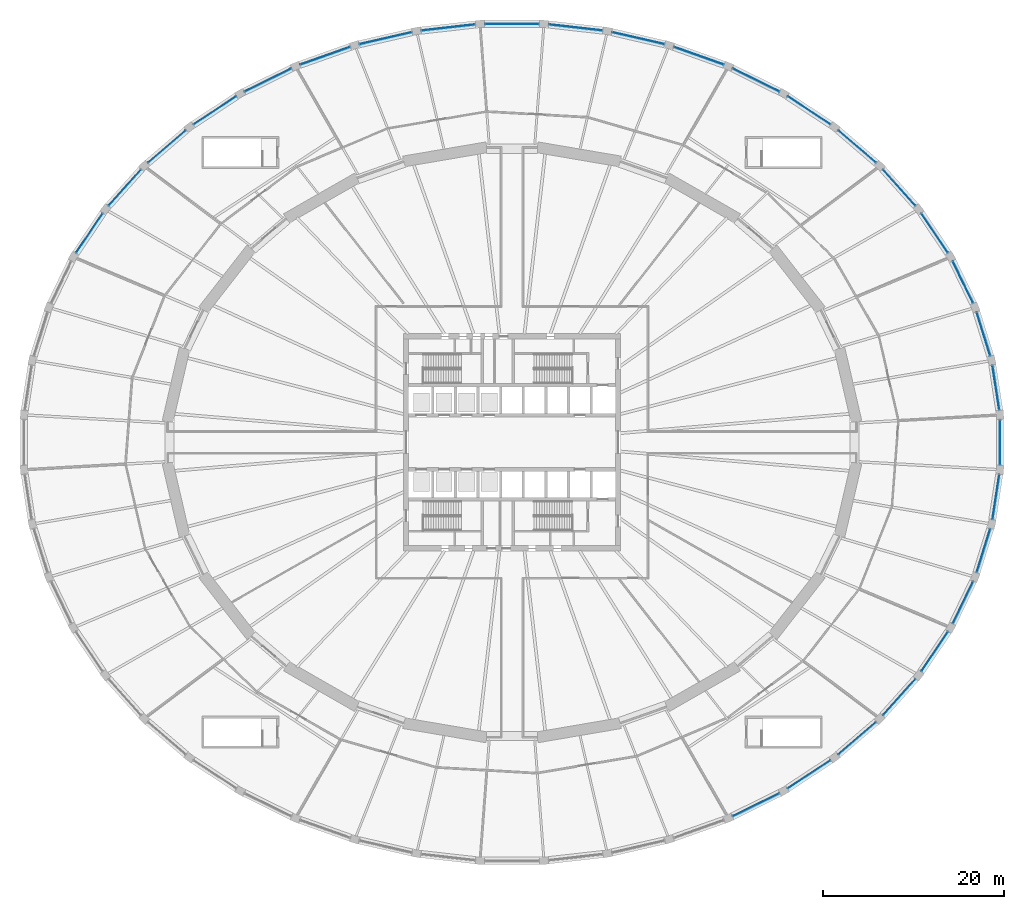
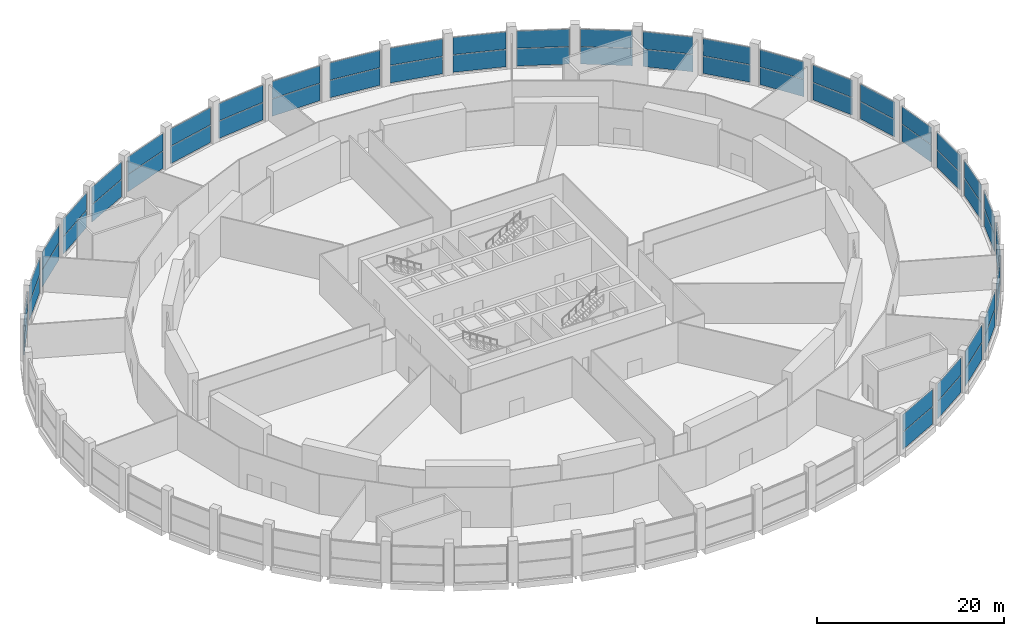
# One storey, part 18 of 26: 58 plates, 29 elements without a shape of their own.
"""IFC4 building model written with IfcOpenShell, lengths in metres."""

from ifc_helpers import new_model, si_unit, direction, frame, origin, origin_2d, place, context, subcontext, project, spatial, rectangle, extrude, material, layer, layer_set, type_object, element, aggregate, save


model = new_model("IFC4")

# Units and contexts
model_context = context("Model", 3, precision=1e-05, world=origin(), true_north=direction((0.0, 1.0)))
body_context = subcontext(model_context, "Body", "Model", "MODEL_VIEW")
ifc_project = project(units=[si_unit("LENGTHUNIT", "METRE"), si_unit("AREAUNIT", "SQUARE_METRE"), si_unit("VOLUMEUNIT", "CUBIC_METRE"), si_unit("PLANEANGLEUNIT", "RADIAN"), si_unit("MASSUNIT", "GRAM", prefix="KILO")], contexts=[model_context])

# Site, building, storey
site_placement = place(None, origin())
site = spatial("IfcSite", under=ifc_project, at=site_placement, CompositionType="ELEMENT")
building_placement = place(site_placement, origin())
building = spatial("IfcBuilding", under=site, at=building_placement, Name="Halqa Exchange Tower", CompositionType="ELEMENT")
storey_placement = place(building_placement, frame((0.0, 0.0, 18.0)))
storey = spatial("IfcBuildingStorey", under=building, at=storey_placement, Name="L03", CompositionType="ELEMENT", Elevation=18.0)

# Curtain wall, plates
ifc_material_1 = material(Name="Anodised aluminium and clear glass", Category="aluminium")
curtain_wall_type = type_object("IfcCurtainWallType", Name="Exchange hall glazing", PredefinedType="NOTDEFINED", material=ifc_material_1)
curtain_wall_1_placement = place(storey_placement, origin())
curtain_wall_1 = element("IfcCurtainWall", 1, at=curtain_wall_1_placement, inside=storey, type_object=curtain_wall_type, Name="Exchange hall glazing run P1", PredefinedType="NOTDEFINED")
ifc_material_2 = material(Name="Clear glass", Category="glass")
ifc_layer = layer(ifc_material_2, 0.035888671875)
ifc_layer_set = layer_set([ifc_layer], Name="Clear glass")
plate_type = type_object("IfcPlateType", Name="Laminated clear glass panel 36", PredefinedType="CURTAIN_PANEL", material=ifc_layer_set)
plate_1_placement = place(storey_placement, frame((53.42333984375, 6.030517578125, 0.06982421875), z_axis=(0.0, 0.0, 1.0), x_axis=(-0.151766957898, 0.988416304241, 0.0)))
plate_1 = element("IfcPlate", 2, at=plate_1_placement, type_object=plate_type, Name="P1 panel 1.1", PredefinedType="CURTAIN_PANEL", context=body_context, shape_type="SweptSolid", body=[
    extrude(rectangle(XDim=4.934814453125, YDim=0.035888671875, at=origin_2d()), origin(), (0.0, 0.0, 1.0), 2.2451171875),
])
plate_2_placement = place(storey_placement, frame((53.42333984375, 6.030517578125, 2.385009765625), z_axis=(0.0, 0.0, 1.0), x_axis=(-0.151766957898, 0.988416304241, 0.0)))
plate_2 = element("IfcPlate", 3, at=plate_2_placement, type_object=plate_type, Name="P1 panel 1.2", PredefinedType="CURTAIN_PANEL", context=body_context, shape_type="SweptSolid", body=[
    extrude(rectangle(XDim=4.934814453125, YDim=0.035888671875, at=origin_2d()), origin(), (0.0, 0.0, 1.0), 2.2451171875),
])
aggregate(curtain_wall_1, [plate_1, plate_2])

curtain_wall_2_placement = place(storey_placement, origin())
curtain_wall_2 = element("IfcCurtainWall", 4, at=curtain_wall_2_placement, inside=storey, type_object=curtain_wall_type, Name="Exchange hall glazing run P2", PredefinedType="NOTDEFINED")
plate_3_placement = place(storey_placement, frame((52.04833984375, 11.957763671875, 0.06982421875), z_axis=(0.0, 0.0, 1.0), x_axis=(-0.298302746613, 0.95447130463, 0.0)))
plate_3 = element("IfcPlate", 5, at=plate_3_placement, type_object=plate_type, Name="P2 panel 1.1", PredefinedType="CURTAIN_PANEL", context=body_context, shape_type="SweptSolid", body=[
    extrude(rectangle(XDim=4.989013671875, YDim=0.035888671875, at=origin_2d()), origin(), (0.0, 0.0, 1.0), 2.2451171875),
])
plate_4_placement = place(storey_placement, frame((52.04833984375, 11.957763671875, 2.385009765625), z_axis=(0.0, 0.0, 1.0), x_axis=(-0.298302746613, 0.95447130463, 0.0)))
plate_4 = element("IfcPlate", 6, at=plate_4_placement, type_object=plate_type, Name="P2 panel 1.2", PredefinedType="CURTAIN_PANEL", context=body_context, shape_type="SweptSolid", body=[
    extrude(rectangle(XDim=4.989013671875, YDim=0.035888671875, at=origin_2d()), origin(), (0.0, 0.0, 1.0), 2.2451171875),
])
aggregate(curtain_wall_2, [plate_3, plate_4])

curtain_wall_3_placement = place(storey_placement, origin())
curtain_wall_3 = element("IfcCurtainWall", 7, at=curtain_wall_3_placement, inside=storey, type_object=curtain_wall_type, Name="Exchange hall glazing run P3", PredefinedType="NOTDEFINED")
plate_5_placement = place(storey_placement, frame((49.78271484375, 17.680419921875, 0.06982421875), z_axis=(0.0, 0.0, 1.0), x_axis=(-0.434989864727, 0.90043534892, 0.0)))
plate_5 = element("IfcPlate", 8, at=plate_5_placement, type_object=plate_type, Name="P3 panel 1.1", PredefinedType="CURTAIN_PANEL", context=body_context, shape_type="SweptSolid", body=[
    extrude(rectangle(XDim=5.07421875, YDim=0.035888671875, at=origin_2d()), origin(), (0.0, 0.0, 1.0), 2.2451171875),
])
plate_6_placement = place(storey_placement, frame((49.78271484375, 17.680419921875, 2.385009765625), z_axis=(0.0, 0.0, 1.0), x_axis=(-0.434989864727, 0.90043534892, 0.0)))
plate_6 = element("IfcPlate", 9, at=plate_6_placement, type_object=plate_type, Name="P3 panel 1.2", PredefinedType="CURTAIN_PANEL", context=body_context, shape_type="SweptSolid", body=[
    extrude(rectangle(XDim=5.07421875, YDim=0.035888671875, at=origin_2d()), origin(), (0.0, 0.0, 1.0), 2.2451171875),
])
aggregate(curtain_wall_3, [plate_5, plate_6])

curtain_wall_4_placement = place(storey_placement, origin())
curtain_wall_4 = element("IfcCurtainWall", 10, at=curtain_wall_4_placement, inside=storey, type_object=curtain_wall_type, Name="Exchange hall glazing run P4", PredefinedType="NOTDEFINED")
plate_7_placement = place(storey_placement, frame((46.665283203125, 23.100341796875, 0.06982421875), z_axis=(0.0, 0.0, 1.0), x_axis=(-0.55852230535, 0.8294895023, 0.0)))
plate_7 = element("IfcPlate", 11, at=plate_7_placement, type_object=plate_type, Name="P4 panel 1.1", PredefinedType="CURTAIN_PANEL", context=body_context, shape_type="SweptSolid", body=[
    extrude(rectangle(XDim=5.18310546875, YDim=0.035888671875, at=origin_2d()), origin(), (0.0, 0.0, 1.0), 2.2451171875),
])
plate_8_placement = place(storey_placement, frame((46.665283203125, 23.100341796875, 2.385009765625), z_axis=(0.0, 0.0, 1.0), x_axis=(-0.55852230535, 0.8294895023, 0.0)))
plate_8 = element("IfcPlate", 12, at=plate_8_placement, type_object=plate_type, Name="P4 panel 1.2", PredefinedType="CURTAIN_PANEL", context=body_context, shape_type="SweptSolid", body=[
    extrude(rectangle(XDim=5.18310546875, YDim=0.035888671875, at=origin_2d()), origin(), (0.0, 0.0, 1.0), 2.2451171875),
])
aggregate(curtain_wall_4, [plate_7, plate_8])

curtain_wall_5_placement = place(storey_placement, origin())
curtain_wall_5 = element("IfcCurtainWall", 13, at=curtain_wall_5_placement, inside=storey, type_object=curtain_wall_type, Name="Exchange hall glazing run P5", PredefinedType="NOTDEFINED")
plate_9_placement = place(storey_placement, frame((42.749267578125, 28.125244140625, 0.06982421875), z_axis=(0.0, 0.0, 1.0), x_axis=(-0.666899477539, 0.74514769466, 0.0)))
plate_9 = element("IfcPlate", 14, at=plate_9_placement, type_object=plate_type, Name="P5 panel 1.1", PredefinedType="CURTAIN_PANEL", context=body_context, shape_type="SweptSolid", body=[
    extrude(rectangle(XDim=5.30810546875, YDim=0.035888671875, at=origin_2d()), origin(), (0.0, 0.0, 1.0), 2.2451171875),
])
plate_10_placement = place(storey_placement, frame((42.749267578125, 28.125244140625, 2.385009765625), z_axis=(0.0, 0.0, 1.0), x_axis=(-0.666899477539, 0.74514769466, 0.0)))
plate_10 = element("IfcPlate", 15, at=plate_10_placement, type_object=plate_type, Name="P5 panel 1.2", PredefinedType="CURTAIN_PANEL", context=body_context, shape_type="SweptSolid", body=[
    extrude(rectangle(XDim=5.30810546875, YDim=0.035888671875, at=origin_2d()), origin(), (0.0, 0.0, 1.0), 2.2451171875),
])
aggregate(curtain_wall_5, [plate_9, plate_10])

curtain_wall_6_placement = place(storey_placement, origin())
curtain_wall_6 = element("IfcCurtainWall", 16, at=curtain_wall_6_placement, inside=storey, type_object=curtain_wall_type, Name="Exchange hall glazing run P6", PredefinedType="NOTDEFINED")
plate_11_placement = place(storey_placement, frame((38.10205078125, 32.6689453125, 0.06982421875), z_axis=(0.0, 0.0, 1.0), x_axis=(-0.759154109704, 0.650910929175, 0.0)))
plate_11 = element("IfcPlate", 17, at=plate_11_placement, type_object=plate_type, Name="P6 panel 1.1", PredefinedType="CURTAIN_PANEL", context=body_context, shape_type="SweptSolid", body=[
    extrude(rectangle(XDim=5.439208984375, YDim=0.035888671875, at=origin_2d()), origin(), (0.0, 0.0, 1.0), 2.2451171875),
])
plate_12_placement = place(storey_placement, frame((38.10205078125, 32.6689453125, 2.385009765625), z_axis=(0.0, 0.0, 1.0), x_axis=(-0.759154109704, 0.650910929175, 0.0)))
plate_12 = element("IfcPlate", 18, at=plate_12_placement, type_object=plate_type, Name="P6 panel 1.2", PredefinedType="CURTAIN_PANEL", context=body_context, shape_type="SweptSolid", body=[
    extrude(rectangle(XDim=5.439208984375, YDim=0.035888671875, at=origin_2d()), origin(), (0.0, 0.0, 1.0), 2.2451171875),
])
aggregate(curtain_wall_6, [plate_11, plate_12])

curtain_wall_7_placement = place(storey_placement, origin())
curtain_wall_7 = element("IfcCurtainWall", 19, at=curtain_wall_7_placement, inside=storey, type_object=curtain_wall_type, Name="Exchange hall glazing run P7", PredefinedType="NOTDEFINED")
plate_13_placement = place(storey_placement, frame((32.802734375, 36.653564453125, 0.06982421875), z_axis=(0.0, 0.0, 1.0), x_axis=(-0.835414753652, 0.549620040919, 0.0)))
plate_13 = element("IfcPlate", 20, at=plate_13_placement, type_object=plate_type, Name="P7 panel 1.1", PredefinedType="CURTAIN_PANEL", context=body_context, shape_type="SweptSolid", body=[
    extrude(rectangle(XDim=5.56787109375, YDim=0.035888671875, at=origin_2d()), origin(), (0.0, 0.0, 1.0), 2.2451171875),
])
plate_14_placement = place(storey_placement, frame((32.802734375, 36.653564453125, 2.385009765625), z_axis=(0.0, 0.0, 1.0), x_axis=(-0.835414753652, 0.549620040919, 0.0)))
plate_14 = element("IfcPlate", 21, at=plate_14_placement, type_object=plate_type, Name="P7 panel 1.2", PredefinedType="CURTAIN_PANEL", context=body_context, shape_type="SweptSolid", body=[
    extrude(rectangle(XDim=5.56787109375, YDim=0.035888671875, at=origin_2d()), origin(), (0.0, 0.0, 1.0), 2.2451171875),
])
aggregate(curtain_wall_7, [plate_13, plate_14])

curtain_wall_8_placement = place(storey_placement, origin())
curtain_wall_8 = element("IfcCurtainWall", 22, at=curtain_wall_8_placement, inside=storey, type_object=curtain_wall_type, Name="Exchange hall glazing run P8", PredefinedType="NOTDEFINED")
plate_15_placement = place(storey_placement, frame((26.942138671875, 40.010986328125, 0.06982421875), z_axis=(0.0, 0.0, 1.0), x_axis=(-0.896198440934, 0.443653417058, 0.0)))
plate_15 = element("IfcPlate", 23, at=plate_15_placement, type_object=plate_type, Name="P8 panel 1.1", PredefinedType="CURTAIN_PANEL", context=body_context, shape_type="SweptSolid", body=[
    extrude(rectangle(XDim=5.685791015625, YDim=0.035888671875, at=origin_2d()), origin(), (0.0, 0.0, 1.0), 2.2451171875),
])
plate_16_placement = place(storey_placement, frame((26.942138671875, 40.010986328125, 2.385009765625), z_axis=(0.0, 0.0, 1.0), x_axis=(-0.896198440934, 0.443653417058, 0.0)))
plate_16 = element("IfcPlate", 24, at=plate_16_placement, type_object=plate_type, Name="P8 panel 1.2", PredefinedType="CURTAIN_PANEL", context=body_context, shape_type="SweptSolid", body=[
    extrude(rectangle(XDim=5.685791015625, YDim=0.035888671875, at=origin_2d()), origin(), (0.0, 0.0, 1.0), 2.2451171875),
])
aggregate(curtain_wall_8, [plate_15, plate_16])

curtain_wall_9_placement = place(storey_placement, origin())
curtain_wall_9 = element("IfcCurtainWall", 25, at=curtain_wall_9_placement, inside=storey, type_object=curtain_wall_type, Name="Exchange hall glazing run P9", PredefinedType="NOTDEFINED")
plate_17_placement = place(storey_placement, frame((20.62060546875, 42.68408203125, 0.06982421875), z_axis=(0.0, 0.0, 1.0), x_axis=(-0.942328875444, 0.334688348326, 0.0)))
plate_17 = element("IfcPlate", 26, at=plate_17_placement, type_object=plate_type, Name="P9 panel 1.1", PredefinedType="CURTAIN_PANEL", context=body_context, shape_type="SweptSolid", body=[
    extrude(rectangle(XDim=5.78515625, YDim=0.035888671875, at=origin_2d()), origin(), (0.0, 0.0, 1.0), 2.2451171875),
])
plate_18_placement = place(storey_placement, frame((20.62060546875, 42.68408203125, 2.385009765625), z_axis=(0.0, 0.0, 1.0), x_axis=(-0.942328875444, 0.334688348326, 0.0)))
plate_18 = element("IfcPlate", 27, at=plate_18_placement, type_object=plate_type, Name="P9 panel 1.2", PredefinedType="CURTAIN_PANEL", context=body_context, shape_type="SweptSolid", body=[
    extrude(rectangle(XDim=5.78515625, YDim=0.035888671875, at=origin_2d()), origin(), (0.0, 0.0, 1.0), 2.2451171875),
])
aggregate(curtain_wall_9, [plate_17, plate_18])

curtain_wall_10_placement = place(storey_placement, origin())
curtain_wall_10 = element("IfcCurtainWall", 28, at=curtain_wall_10_placement, inside=storey, type_object=curtain_wall_type, Name="Exchange hall glazing run P10", PredefinedType="NOTDEFINED")
plate_19_placement = place(storey_placement, frame((13.9462890625, 44.626708984375, 0.06982421875), z_axis=(0.0, 0.0, 1.0), x_axis=(-0.974612891234, 0.223896655269, 0.0)))
plate_19 = element("IfcPlate", 29, at=plate_19_placement, type_object=plate_type, Name="P10 panel 1.1", PredefinedType="CURTAIN_PANEL", context=body_context, shape_type="SweptSolid", body=[
    extrude(rectangle(XDim=5.860595703125, YDim=0.035888671875, at=origin_2d()), origin(), (0.0, 0.0, 1.0), 2.2451171875),
])
plate_20_placement = place(storey_placement, frame((13.9462890625, 44.626708984375, 2.385009765625), z_axis=(0.0, 0.0, 1.0), x_axis=(-0.974612891234, 0.223896655269, 0.0)))
plate_20 = element("IfcPlate", 30, at=plate_20_placement, type_object=plate_type, Name="P10 panel 1.2", PredefinedType="CURTAIN_PANEL", context=body_context, shape_type="SweptSolid", body=[
    extrude(rectangle(XDim=5.860595703125, YDim=0.035888671875, at=origin_2d()), origin(), (0.0, 0.0, 1.0), 2.2451171875),
])
aggregate(curtain_wall_10, [plate_19, plate_20])

curtain_wall_11_placement = place(storey_placement, origin())
curtain_wall_11 = element("IfcCurtainWall", 31, at=curtain_wall_11_placement, inside=storey, type_object=curtain_wall_type, Name="Exchange hall glazing run P11", PredefinedType="NOTDEFINED")
plate_21_placement = place(storey_placement, frame((7.033447265625, 45.8056640625, 0.06982421875), z_axis=(0.0, 0.0, 1.0), x_axis=(-0.993690261872, 0.112159098874, 0.0)))
plate_21 = element("IfcPlate", 32, at=plate_21_placement, type_object=plate_type, Name="P11 panel 1.1", PredefinedType="CURTAIN_PANEL", context=body_context, shape_type="SweptSolid", body=[
    extrude(rectangle(XDim=5.90771484375, YDim=0.035888671875, at=origin_2d()), origin(), (0.0, 0.0, 1.0), 2.2451171875),
])
plate_22_placement = place(storey_placement, frame((7.033447265625, 45.8056640625, 2.385009765625), z_axis=(0.0, 0.0, 1.0), x_axis=(-0.993690261872, 0.112159098874, 0.0)))
plate_22 = element("IfcPlate", 33, at=plate_22_placement, type_object=plate_type, Name="P11 panel 1.2", PredefinedType="CURTAIN_PANEL", context=body_context, shape_type="SweptSolid", body=[
    extrude(rectangle(XDim=5.90771484375, YDim=0.035888671875, at=origin_2d()), origin(), (0.0, 0.0, 1.0), 2.2451171875),
])
aggregate(curtain_wall_11, [plate_21, plate_22])

curtain_wall_12_placement = place(storey_placement, origin())
curtain_wall_12 = element("IfcCurtainWall", 34, at=curtain_wall_12_placement, inside=storey, type_object=curtain_wall_type, Name="Exchange hall glazing run P12", PredefinedType="NOTDEFINED")
plate_23_placement = place(storey_placement, frame((0.0, 46.200927734375, 0.06982421875), z_axis=(0.0, 0.0, 1.0), x_axis=(-1.0, 0.0, 0.0)))
plate_23 = element("IfcPlate", 35, at=plate_23_placement, type_object=plate_type, Name="P12 panel 1.1", PredefinedType="CURTAIN_PANEL", context=body_context, shape_type="SweptSolid", body=[
    extrude(rectangle(XDim=5.923583984375, YDim=0.035888671875, at=origin_2d()), origin(), (0.0, 0.0, 1.0), 2.2451171875),
])
plate_24_placement = place(storey_placement, frame((0.0, 46.200927734375, 2.385009765625), z_axis=(0.0, 0.0, 1.0), x_axis=(-1.0, 0.0, 0.0)))
plate_24 = element("IfcPlate", 36, at=plate_24_placement, type_object=plate_type, Name="P12 panel 1.2", PredefinedType="CURTAIN_PANEL", context=body_context, shape_type="SweptSolid", body=[
    extrude(rectangle(XDim=5.923583984375, YDim=0.035888671875, at=origin_2d()), origin(), (0.0, 0.0, 1.0), 2.2451171875),
])
aggregate(curtain_wall_12, [plate_23, plate_24])

curtain_wall_13_placement = place(storey_placement, origin())
curtain_wall_13 = element("IfcCurtainWall", 37, at=curtain_wall_13_placement, inside=storey, type_object=curtain_wall_type, Name="Exchange hall glazing run P13", PredefinedType="NOTDEFINED")
plate_25_placement = place(storey_placement, frame((-7.033447265625, 45.8056640625, 0.06982421875), z_axis=(0.0, 0.0, 1.0), x_axis=(-0.993690261872, -0.112159098874, 0.0)))
plate_25 = element("IfcPlate", 38, at=plate_25_placement, type_object=plate_type, Name="P13 panel 1.1", PredefinedType="CURTAIN_PANEL", context=body_context, shape_type="SweptSolid", body=[
    extrude(rectangle(XDim=5.90771484375, YDim=0.035888671875, at=origin_2d()), origin(), (0.0, 0.0, 1.0), 2.2451171875),
])
plate_26_placement = place(storey_placement, frame((-7.033447265625, 45.8056640625, 2.385009765625), z_axis=(0.0, 0.0, 1.0), x_axis=(-0.993690261872, -0.112159098874, 0.0)))
plate_26 = element("IfcPlate", 39, at=plate_26_placement, type_object=plate_type, Name="P13 panel 1.2", PredefinedType="CURTAIN_PANEL", context=body_context, shape_type="SweptSolid", body=[
    extrude(rectangle(XDim=5.90771484375, YDim=0.035888671875, at=origin_2d()), origin(), (0.0, 0.0, 1.0), 2.2451171875),
])
aggregate(curtain_wall_13, [plate_25, plate_26])

curtain_wall_14_placement = place(storey_placement, origin())
curtain_wall_14 = element("IfcCurtainWall", 40, at=curtain_wall_14_placement, inside=storey, type_object=curtain_wall_type, Name="Exchange hall glazing run P14", PredefinedType="NOTDEFINED")
plate_27_placement = place(storey_placement, frame((-13.9462890625, 44.626708984375, 0.06982421875), z_axis=(0.0, 0.0, 1.0), x_axis=(-0.974612891234, -0.223896655269, 0.0)))
plate_27 = element("IfcPlate", 41, at=plate_27_placement, type_object=plate_type, Name="P14 panel 1.1", PredefinedType="CURTAIN_PANEL", context=body_context, shape_type="SweptSolid", body=[
    extrude(rectangle(XDim=5.860595703125, YDim=0.035888671875, at=origin_2d()), origin(), (0.0, 0.0, 1.0), 2.2451171875),
])
plate_28_placement = place(storey_placement, frame((-13.9462890625, 44.626708984375, 2.385009765625), z_axis=(0.0, 0.0, 1.0), x_axis=(-0.974612891234, -0.223896655269, 0.0)))
plate_28 = element("IfcPlate", 42, at=plate_28_placement, type_object=plate_type, Name="P14 panel 1.2", PredefinedType="CURTAIN_PANEL", context=body_context, shape_type="SweptSolid", body=[
    extrude(rectangle(XDim=5.860595703125, YDim=0.035888671875, at=origin_2d()), origin(), (0.0, 0.0, 1.0), 2.2451171875),
])
aggregate(curtain_wall_14, [plate_27, plate_28])

curtain_wall_15_placement = place(storey_placement, origin())
curtain_wall_15 = element("IfcCurtainWall", 43, at=curtain_wall_15_placement, inside=storey, type_object=curtain_wall_type, Name="Exchange hall glazing run P15", PredefinedType="NOTDEFINED")
plate_29_placement = place(storey_placement, frame((-20.62060546875, 42.68408203125, 0.06982421875), z_axis=(0.0, 0.0, 1.0), x_axis=(-0.942328875444, -0.334688348326, 0.0)))
plate_29 = element("IfcPlate", 44, at=plate_29_placement, type_object=plate_type, Name="P15 panel 1.1", PredefinedType="CURTAIN_PANEL", context=body_context, shape_type="SweptSolid", body=[
    extrude(rectangle(XDim=5.78515625, YDim=0.035888671875, at=origin_2d()), origin(), (0.0, 0.0, 1.0), 2.2451171875),
])
plate_30_placement = place(storey_placement, frame((-20.62060546875, 42.68408203125, 2.385009765625), z_axis=(0.0, 0.0, 1.0), x_axis=(-0.942328875444, -0.334688348326, 0.0)))
plate_30 = element("IfcPlate", 45, at=plate_30_placement, type_object=plate_type, Name="P15 panel 1.2", PredefinedType="CURTAIN_PANEL", context=body_context, shape_type="SweptSolid", body=[
    extrude(rectangle(XDim=5.78515625, YDim=0.035888671875, at=origin_2d()), origin(), (0.0, 0.0, 1.0), 2.2451171875),
])
aggregate(curtain_wall_15, [plate_29, plate_30])

curtain_wall_16_placement = place(storey_placement, origin())
curtain_wall_16 = element("IfcCurtainWall", 46, at=curtain_wall_16_placement, inside=storey, type_object=curtain_wall_type, Name="Exchange hall glazing run P16", PredefinedType="NOTDEFINED")
plate_31_placement = place(storey_placement, frame((-26.942138671875, 40.010986328125, 0.06982421875), z_axis=(0.0, 0.0, 1.0), x_axis=(-0.896198440934, -0.443653417058, 0.0)))
plate_31 = element("IfcPlate", 47, at=plate_31_placement, type_object=plate_type, Name="P16 panel 1.1", PredefinedType="CURTAIN_PANEL", context=body_context, shape_type="SweptSolid", body=[
    extrude(rectangle(XDim=5.685791015625, YDim=0.035888671875, at=origin_2d()), origin(), (0.0, 0.0, 1.0), 2.2451171875),
])
plate_32_placement = place(storey_placement, frame((-26.942138671875, 40.010986328125, 2.385009765625), z_axis=(0.0, 0.0, 1.0), x_axis=(-0.896198440934, -0.443653417058, 0.0)))
plate_32 = element("IfcPlate", 48, at=plate_32_placement, type_object=plate_type, Name="P16 panel 1.2", PredefinedType="CURTAIN_PANEL", context=body_context, shape_type="SweptSolid", body=[
    extrude(rectangle(XDim=5.685791015625, YDim=0.035888671875, at=origin_2d()), origin(), (0.0, 0.0, 1.0), 2.2451171875),
])
aggregate(curtain_wall_16, [plate_31, plate_32])

curtain_wall_17_placement = place(storey_placement, origin())
curtain_wall_17 = element("IfcCurtainWall", 49, at=curtain_wall_17_placement, inside=storey, type_object=curtain_wall_type, Name="Exchange hall glazing run P17", PredefinedType="NOTDEFINED")
plate_33_placement = place(storey_placement, frame((-32.802734375, 36.653564453125, 0.06982421875), z_axis=(0.0, 0.0, 1.0), x_axis=(-0.835414753652, -0.549620040919, 0.0)))
plate_33 = element("IfcPlate", 50, at=plate_33_placement, type_object=plate_type, Name="P17 panel 1.1", PredefinedType="CURTAIN_PANEL", context=body_context, shape_type="SweptSolid", body=[
    extrude(rectangle(XDim=5.56787109375, YDim=0.035888671875, at=origin_2d()), origin(), (0.0, 0.0, 1.0), 2.2451171875),
])
plate_34_placement = place(storey_placement, frame((-32.802734375, 36.653564453125, 2.385009765625), z_axis=(0.0, 0.0, 1.0), x_axis=(-0.835414753652, -0.549620040919, 0.0)))
plate_34 = element("IfcPlate", 51, at=plate_34_placement, type_object=plate_type, Name="P17 panel 1.2", PredefinedType="CURTAIN_PANEL", context=body_context, shape_type="SweptSolid", body=[
    extrude(rectangle(XDim=5.56787109375, YDim=0.035888671875, at=origin_2d()), origin(), (0.0, 0.0, 1.0), 2.2451171875),
])
aggregate(curtain_wall_17, [plate_33, plate_34])

curtain_wall_18_placement = place(storey_placement, origin())
curtain_wall_18 = element("IfcCurtainWall", 52, at=curtain_wall_18_placement, inside=storey, type_object=curtain_wall_type, Name="Exchange hall glazing run P18", PredefinedType="NOTDEFINED")
plate_35_placement = place(storey_placement, frame((-38.10205078125, 32.6689453125, 0.06982421875), z_axis=(0.0, 0.0, 1.0), x_axis=(-0.759154109704, -0.650910929175, 0.0)))
plate_35 = element("IfcPlate", 53, at=plate_35_placement, type_object=plate_type, Name="P18 panel 1.1", PredefinedType="CURTAIN_PANEL", context=body_context, shape_type="SweptSolid", body=[
    extrude(rectangle(XDim=5.439208984375, YDim=0.035888671875, at=origin_2d()), origin(), (0.0, 0.0, 1.0), 2.2451171875),
])
plate_36_placement = place(storey_placement, frame((-38.10205078125, 32.6689453125, 2.385009765625), z_axis=(0.0, 0.0, 1.0), x_axis=(-0.759154109704, -0.650910929175, 0.0)))
plate_36 = element("IfcPlate", 54, at=plate_36_placement, type_object=plate_type, Name="P18 panel 1.2", PredefinedType="CURTAIN_PANEL", context=body_context, shape_type="SweptSolid", body=[
    extrude(rectangle(XDim=5.439208984375, YDim=0.035888671875, at=origin_2d()), origin(), (0.0, 0.0, 1.0), 2.2451171875),
])
aggregate(curtain_wall_18, [plate_35, plate_36])

curtain_wall_19_placement = place(storey_placement, origin())
curtain_wall_19 = element("IfcCurtainWall", 55, at=curtain_wall_19_placement, inside=storey, type_object=curtain_wall_type, Name="Exchange hall glazing run P19", PredefinedType="NOTDEFINED")
plate_37_placement = place(storey_placement, frame((-42.749267578125, 28.125244140625, 0.06982421875), z_axis=(0.0, 0.0, 1.0), x_axis=(-0.666899477539, -0.74514769466, 0.0)))
plate_37 = element("IfcPlate", 56, at=plate_37_placement, type_object=plate_type, Name="P19 panel 1.1", PredefinedType="CURTAIN_PANEL", context=body_context, shape_type="SweptSolid", body=[
    extrude(rectangle(XDim=5.30810546875, YDim=0.035888671875, at=origin_2d()), origin(), (0.0, 0.0, 1.0), 2.2451171875),
])
plate_38_placement = place(storey_placement, frame((-42.749267578125, 28.125244140625, 2.385009765625), z_axis=(0.0, 0.0, 1.0), x_axis=(-0.666899477539, -0.74514769466, 0.0)))
plate_38 = element("IfcPlate", 57, at=plate_38_placement, type_object=plate_type, Name="P19 panel 1.2", PredefinedType="CURTAIN_PANEL", context=body_context, shape_type="SweptSolid", body=[
    extrude(rectangle(XDim=5.30810546875, YDim=0.035888671875, at=origin_2d()), origin(), (0.0, 0.0, 1.0), 2.2451171875),
])
aggregate(curtain_wall_19, [plate_37, plate_38])

curtain_wall_20_placement = place(storey_placement, origin())
curtain_wall_20 = element("IfcCurtainWall", 58, at=curtain_wall_20_placement, inside=storey, type_object=curtain_wall_type, Name="Exchange hall glazing run P20", PredefinedType="NOTDEFINED")
plate_39_placement = place(storey_placement, frame((-46.665283203125, 23.100341796875, 0.06982421875), z_axis=(0.0, 0.0, 1.0), x_axis=(-0.55852230535, -0.8294895023, 0.0)))
plate_39 = element("IfcPlate", 59, at=plate_39_placement, type_object=plate_type, Name="P20 panel 1.1", PredefinedType="CURTAIN_PANEL", context=body_context, shape_type="SweptSolid", body=[
    extrude(rectangle(XDim=5.18310546875, YDim=0.035888671875, at=origin_2d()), origin(), (0.0, 0.0, 1.0), 2.2451171875),
])
plate_40_placement = place(storey_placement, frame((-46.665283203125, 23.100341796875, 2.385009765625), z_axis=(0.0, 0.0, 1.0), x_axis=(-0.55852230535, -0.8294895023, 0.0)))
plate_40 = element("IfcPlate", 60, at=plate_40_placement, type_object=plate_type, Name="P20 panel 1.2", PredefinedType="CURTAIN_PANEL", context=body_context, shape_type="SweptSolid", body=[
    extrude(rectangle(XDim=5.18310546875, YDim=0.035888671875, at=origin_2d()), origin(), (0.0, 0.0, 1.0), 2.2451171875),
])
aggregate(curtain_wall_20, [plate_39, plate_40])

curtain_wall_21_placement = place(storey_placement, origin())
curtain_wall_21 = element("IfcCurtainWall", 61, at=curtain_wall_21_placement, inside=storey, type_object=curtain_wall_type, Name="Exchange hall glazing run P40", PredefinedType="NOTDEFINED")
plate_41_placement = place(storey_placement, frame((26.942138671875, -40.010986328125, 0.06982421875), z_axis=(0.0, 0.0, 1.0), x_axis=(0.896198440934, 0.443653417058, 0.0)))
plate_41 = element("IfcPlate", 62, at=plate_41_placement, type_object=plate_type, Name="P40 panel 1.1", PredefinedType="CURTAIN_PANEL", context=body_context, shape_type="SweptSolid", body=[
    extrude(rectangle(XDim=5.685791015625, YDim=0.035888671875, at=origin_2d()), origin(), (0.0, 0.0, 1.0), 2.2451171875),
])
plate_42_placement = place(storey_placement, frame((26.942138671875, -40.010986328125, 2.385009765625), z_axis=(0.0, 0.0, 1.0), x_axis=(0.896198440934, 0.443653417058, 0.0)))
plate_42 = element("IfcPlate", 63, at=plate_42_placement, type_object=plate_type, Name="P40 panel 1.2", PredefinedType="CURTAIN_PANEL", context=body_context, shape_type="SweptSolid", body=[
    extrude(rectangle(XDim=5.685791015625, YDim=0.035888671875, at=origin_2d()), origin(), (0.0, 0.0, 1.0), 2.2451171875),
])
aggregate(curtain_wall_21, [plate_41, plate_42])

curtain_wall_22_placement = place(storey_placement, origin())
curtain_wall_22 = element("IfcCurtainWall", 64, at=curtain_wall_22_placement, inside=storey, type_object=curtain_wall_type, Name="Exchange hall glazing run P41", PredefinedType="NOTDEFINED")
plate_43_placement = place(storey_placement, frame((32.802734375, -36.653564453125, 0.06982421875), z_axis=(0.0, 0.0, 1.0), x_axis=(0.835414753652, 0.549620040919, 0.0)))
plate_43 = element("IfcPlate", 65, at=plate_43_placement, type_object=plate_type, Name="P41 panel 1.1", PredefinedType="CURTAIN_PANEL", context=body_context, shape_type="SweptSolid", body=[
    extrude(rectangle(XDim=5.56787109375, YDim=0.035888671875, at=origin_2d()), origin(), (0.0, 0.0, 1.0), 2.2451171875),
])
plate_44_placement = place(storey_placement, frame((32.802734375, -36.653564453125, 2.385009765625), z_axis=(0.0, 0.0, 1.0), x_axis=(0.835414753652, 0.549620040919, 0.0)))
plate_44 = element("IfcPlate", 66, at=plate_44_placement, type_object=plate_type, Name="P41 panel 1.2", PredefinedType="CURTAIN_PANEL", context=body_context, shape_type="SweptSolid", body=[
    extrude(rectangle(XDim=5.56787109375, YDim=0.035888671875, at=origin_2d()), origin(), (0.0, 0.0, 1.0), 2.2451171875),
])
aggregate(curtain_wall_22, [plate_43, plate_44])

curtain_wall_23_placement = place(storey_placement, origin())
curtain_wall_23 = element("IfcCurtainWall", 67, at=curtain_wall_23_placement, inside=storey, type_object=curtain_wall_type, Name="Exchange hall glazing run P42", PredefinedType="NOTDEFINED")
plate_45_placement = place(storey_placement, frame((38.10205078125, -32.6689453125, 0.06982421875), z_axis=(0.0, 0.0, 1.0), x_axis=(0.759154109704, 0.650910929175, 0.0)))
plate_45 = element("IfcPlate", 68, at=plate_45_placement, type_object=plate_type, Name="P42 panel 1.1", PredefinedType="CURTAIN_PANEL", context=body_context, shape_type="SweptSolid", body=[
    extrude(rectangle(XDim=5.439208984375, YDim=0.035888671875, at=origin_2d()), origin(), (0.0, 0.0, 1.0), 2.2451171875),
])
plate_46_placement = place(storey_placement, frame((38.10205078125, -32.6689453125, 2.385009765625), z_axis=(0.0, 0.0, 1.0), x_axis=(0.759154109704, 0.650910929175, 0.0)))
plate_46 = element("IfcPlate", 69, at=plate_46_placement, type_object=plate_type, Name="P42 panel 1.2", PredefinedType="CURTAIN_PANEL", context=body_context, shape_type="SweptSolid", body=[
    extrude(rectangle(XDim=5.439208984375, YDim=0.035888671875, at=origin_2d()), origin(), (0.0, 0.0, 1.0), 2.2451171875),
])
aggregate(curtain_wall_23, [plate_45, plate_46])

curtain_wall_24_placement = place(storey_placement, origin())
curtain_wall_24 = element("IfcCurtainWall", 70, at=curtain_wall_24_placement, inside=storey, type_object=curtain_wall_type, Name="Exchange hall glazing run P43", PredefinedType="NOTDEFINED")
plate_47_placement = place(storey_placement, frame((42.749267578125, -28.125244140625, 0.06982421875), z_axis=(0.0, 0.0, 1.0), x_axis=(0.666899477539, 0.74514769466, 0.0)))
plate_47 = element("IfcPlate", 71, at=plate_47_placement, type_object=plate_type, Name="P43 panel 1.1", PredefinedType="CURTAIN_PANEL", context=body_context, shape_type="SweptSolid", body=[
    extrude(rectangle(XDim=5.30810546875, YDim=0.035888671875, at=origin_2d()), origin(), (0.0, 0.0, 1.0), 2.2451171875),
])
plate_48_placement = place(storey_placement, frame((42.749267578125, -28.125244140625, 2.385009765625), z_axis=(0.0, 0.0, 1.0), x_axis=(0.666899477539, 0.74514769466, 0.0)))
plate_48 = element("IfcPlate", 72, at=plate_48_placement, type_object=plate_type, Name="P43 panel 1.2", PredefinedType="CURTAIN_PANEL", context=body_context, shape_type="SweptSolid", body=[
    extrude(rectangle(XDim=5.30810546875, YDim=0.035888671875, at=origin_2d()), origin(), (0.0, 0.0, 1.0), 2.2451171875),
])
aggregate(curtain_wall_24, [plate_47, plate_48])

curtain_wall_25_placement = place(storey_placement, origin())
curtain_wall_25 = element("IfcCurtainWall", 73, at=curtain_wall_25_placement, inside=storey, type_object=curtain_wall_type, Name="Exchange hall glazing run P44", PredefinedType="NOTDEFINED")
plate_49_placement = place(storey_placement, frame((46.665283203125, -23.100341796875, 0.06982421875), z_axis=(0.0, 0.0, 1.0), x_axis=(0.55852230535, 0.8294895023, 0.0)))
plate_49 = element("IfcPlate", 74, at=plate_49_placement, type_object=plate_type, Name="P44 panel 1.1", PredefinedType="CURTAIN_PANEL", context=body_context, shape_type="SweptSolid", body=[
    extrude(rectangle(XDim=5.18310546875, YDim=0.035888671875, at=origin_2d()), origin(), (0.0, 0.0, 1.0), 2.2451171875),
])
plate_50_placement = place(storey_placement, frame((46.665283203125, -23.100341796875, 2.385009765625), z_axis=(0.0, 0.0, 1.0), x_axis=(0.55852230535, 0.8294895023, 0.0)))
plate_50 = element("IfcPlate", 75, at=plate_50_placement, type_object=plate_type, Name="P44 panel 1.2", PredefinedType="CURTAIN_PANEL", context=body_context, shape_type="SweptSolid", body=[
    extrude(rectangle(XDim=5.18310546875, YDim=0.035888671875, at=origin_2d()), origin(), (0.0, 0.0, 1.0), 2.2451171875),
])
aggregate(curtain_wall_25, [plate_49, plate_50])

curtain_wall_26_placement = place(storey_placement, origin())
curtain_wall_26 = element("IfcCurtainWall", 76, at=curtain_wall_26_placement, inside=storey, type_object=curtain_wall_type, Name="Exchange hall glazing run P45", PredefinedType="NOTDEFINED")
plate_51_placement = place(storey_placement, frame((49.78271484375, -17.680419921875, 0.06982421875), z_axis=(0.0, 0.0, 1.0), x_axis=(0.434989864727, 0.90043534892, 0.0)))
plate_51 = element("IfcPlate", 77, at=plate_51_placement, type_object=plate_type, Name="P45 panel 1.1", PredefinedType="CURTAIN_PANEL", context=body_context, shape_type="SweptSolid", body=[
    extrude(rectangle(XDim=5.07421875, YDim=0.035888671875, at=origin_2d()), origin(), (0.0, 0.0, 1.0), 2.2451171875),
])
plate_52_placement = place(storey_placement, frame((49.78271484375, -17.680419921875, 2.385009765625), z_axis=(0.0, 0.0, 1.0), x_axis=(0.434989864727, 0.90043534892, 0.0)))
plate_52 = element("IfcPlate", 78, at=plate_52_placement, type_object=plate_type, Name="P45 panel 1.2", PredefinedType="CURTAIN_PANEL", context=body_context, shape_type="SweptSolid", body=[
    extrude(rectangle(XDim=5.07421875, YDim=0.035888671875, at=origin_2d()), origin(), (0.0, 0.0, 1.0), 2.2451171875),
])
aggregate(curtain_wall_26, [plate_51, plate_52])

curtain_wall_27_placement = place(storey_placement, origin())
curtain_wall_27 = element("IfcCurtainWall", 79, at=curtain_wall_27_placement, inside=storey, type_object=curtain_wall_type, Name="Exchange hall glazing run P46", PredefinedType="NOTDEFINED")
plate_53_placement = place(storey_placement, frame((52.04833984375, -11.957763671875, 0.06982421875), z_axis=(0.0, 0.0, 1.0), x_axis=(0.298302746613, 0.95447130463, 0.0)))
plate_53 = element("IfcPlate", 80, at=plate_53_placement, type_object=plate_type, Name="P46 panel 1.1", PredefinedType="CURTAIN_PANEL", context=body_context, shape_type="SweptSolid", body=[
    extrude(rectangle(XDim=4.989013671875, YDim=0.035888671875, at=origin_2d()), origin(), (0.0, 0.0, 1.0), 2.2451171875),
])
plate_54_placement = place(storey_placement, frame((52.04833984375, -11.957763671875, 2.385009765625), z_axis=(0.0, 0.0, 1.0), x_axis=(0.298302746613, 0.95447130463, 0.0)))
plate_54 = element("IfcPlate", 81, at=plate_54_placement, type_object=plate_type, Name="P46 panel 1.2", PredefinedType="CURTAIN_PANEL", context=body_context, shape_type="SweptSolid", body=[
    extrude(rectangle(XDim=4.989013671875, YDim=0.035888671875, at=origin_2d()), origin(), (0.0, 0.0, 1.0), 2.2451171875),
])
aggregate(curtain_wall_27, [plate_53, plate_54])

curtain_wall_28_placement = place(storey_placement, origin())
curtain_wall_28 = element("IfcCurtainWall", 82, at=curtain_wall_28_placement, inside=storey, type_object=curtain_wall_type, Name="Exchange hall glazing run P47", PredefinedType="NOTDEFINED")
plate_55_placement = place(storey_placement, frame((53.42333984375, -6.030517578125, 0.06982421875), z_axis=(0.0, 0.0, 1.0), x_axis=(0.151766957898, 0.988416304241, 0.0)))
plate_55 = element("IfcPlate", 83, at=plate_55_placement, type_object=plate_type, Name="P47 panel 1.1", PredefinedType="CURTAIN_PANEL", context=body_context, shape_type="SweptSolid", body=[
    extrude(rectangle(XDim=4.934814453125, YDim=0.035888671875, at=origin_2d()), origin(), (0.0, 0.0, 1.0), 2.2451171875),
])
plate_56_placement = place(storey_placement, frame((53.42333984375, -6.030517578125, 2.385009765625), z_axis=(0.0, 0.0, 1.0), x_axis=(0.151766957898, 0.988416304241, 0.0)))
plate_56 = element("IfcPlate", 84, at=plate_56_placement, type_object=plate_type, Name="P47 panel 1.2", PredefinedType="CURTAIN_PANEL", context=body_context, shape_type="SweptSolid", body=[
    extrude(rectangle(XDim=4.934814453125, YDim=0.035888671875, at=origin_2d()), origin(), (0.0, 0.0, 1.0), 2.2451171875),
])
aggregate(curtain_wall_28, [plate_55, plate_56])

curtain_wall_29_placement = place(storey_placement, origin())
curtain_wall_29 = element("IfcCurtainWall", 85, at=curtain_wall_29_placement, inside=storey, type_object=curtain_wall_type, Name="Exchange hall glazing run P48", PredefinedType="NOTDEFINED")
plate_57_placement = place(storey_placement, frame((53.884521484375, 0.0, 0.06982421875), z_axis=(0.0, 0.0, 1.0), x_axis=(0.0, 1.0, 0.0)))
plate_57 = element("IfcPlate", 86, at=plate_57_placement, type_object=plate_type, Name="P48 panel 1.1", PredefinedType="CURTAIN_PANEL", context=body_context, shape_type="SweptSolid", body=[
    extrude(rectangle(XDim=4.91650390625, YDim=0.035888671875, at=origin_2d()), origin(), (0.0, 0.0, 1.0), 2.2451171875),
])
plate_58_placement = place(storey_placement, frame((53.884521484375, 0.0, 2.385009765625), z_axis=(0.0, 0.0, 1.0), x_axis=(0.0, 1.0, 0.0)))
plate_58 = element("IfcPlate", 87, at=plate_58_placement, type_object=plate_type, Name="P48 panel 1.2", PredefinedType="CURTAIN_PANEL", context=body_context, shape_type="SweptSolid", body=[
    extrude(rectangle(XDim=4.91650390625, YDim=0.035888671875, at=origin_2d()), origin(), (0.0, 0.0, 1.0), 2.2451171875),
])
aggregate(curtain_wall_29, [plate_57, plate_58])

save(model, "model.ifc")
